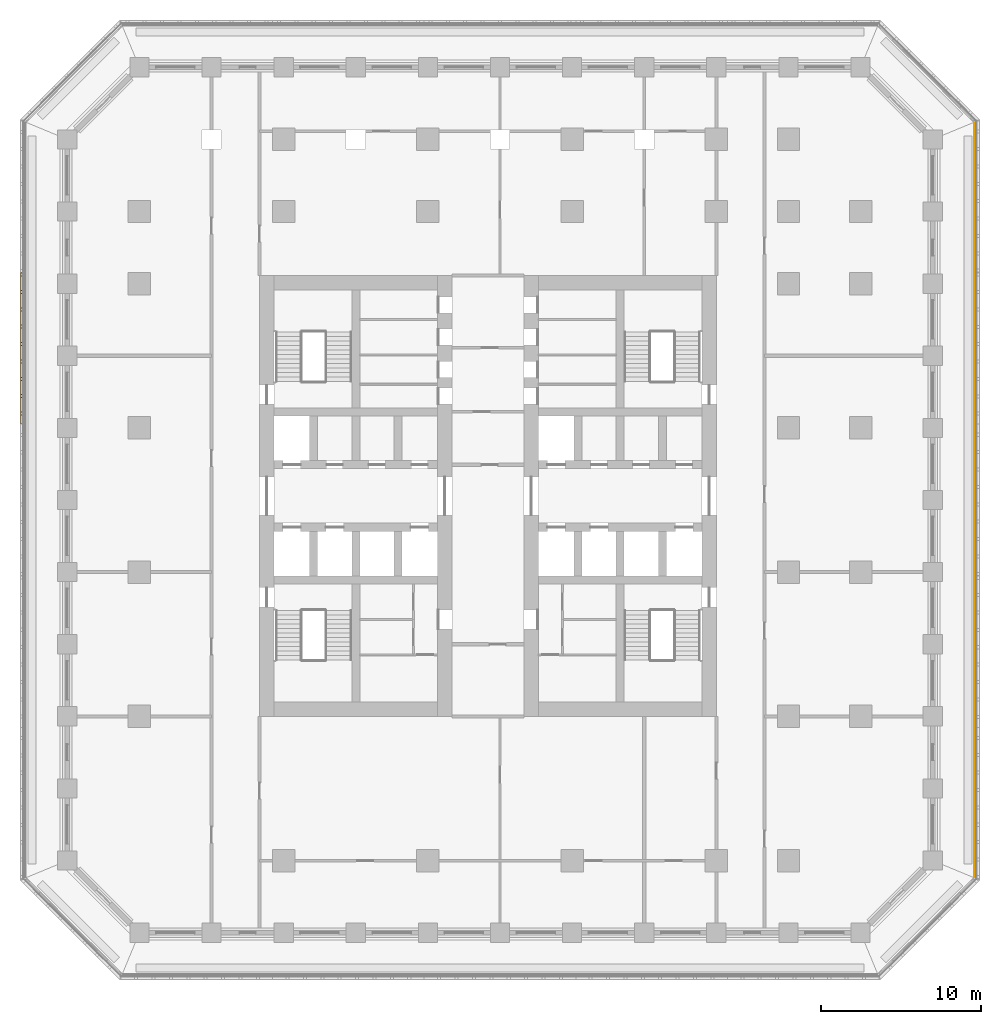
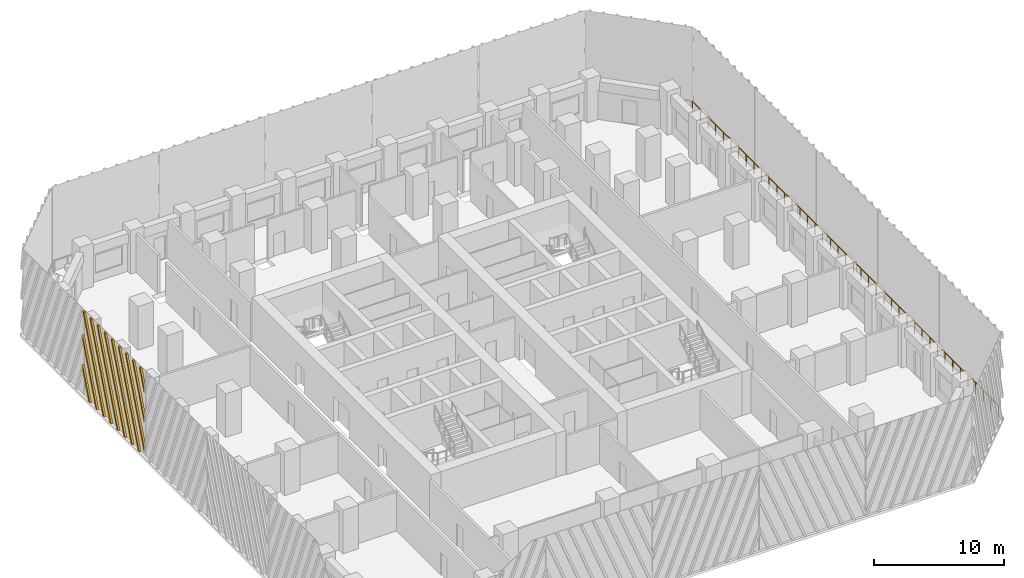
# One storey, part 14 of 19: 1 railing, 1 shading device.
"""IFC4 building model written with IfcOpenShell, lengths in metres."""

from ifc_helpers import new_model, si_unit, direction, frame, origin, origin_2d, place, context, subcontext, project, spatial, polyline, circle, outline, extrude, source, transform, mapped, material, type_object, element, save


model = new_model("IFC4")

# Units and contexts
model_context = context("Model", 3, precision=1e-05, world=origin(), true_north=direction((0.0, 1.0)))
body_context = subcontext(model_context, "Body", "Model", "MODEL_VIEW")
ifc_project = project(units=[si_unit("LENGTHUNIT", "METRE"), si_unit("AREAUNIT", "SQUARE_METRE"), si_unit("VOLUMEUNIT", "CUBIC_METRE"), si_unit("PLANEANGLEUNIT", "RADIAN"), si_unit("MASSUNIT", "GRAM", prefix="KILO")], contexts=[model_context])

# Site, building, storey
site_placement = place(None, origin())
site = spatial("IfcSite", under=ifc_project, at=site_placement, CompositionType="ELEMENT")
building_placement = place(site_placement, origin())
building = spatial("IfcBuilding", under=site, at=building_placement, Name="Corbel Stack Research Tower", CompositionType="ELEMENT")
storey_placement = place(building_placement, frame((0.0, 0.0, 82.0)))
storey = spatial("IfcBuildingStorey", under=building, at=storey_placement, Name="L18", CompositionType="ELEMENT", Elevation=82.0)

# Railing
ifc_material_1 = material(Name="Powder-coated steel guard", Category="steel")
railing_type = type_object("IfcRailingType", Name="Steel and glass guard 1100", PredefinedType="GUARDRAIL", material=ifc_material_1)
railing_placement = place(storey_placement, frame((34.10009765625, -19.00537109375, 0.0)))
element("IfcRailing", 1, at=railing_placement, inside=storey, type_object=railing_type, Name="Loggia guard L18 E", PredefinedType="GUARDRAIL", context=body_context, shape_type="SweptSolid", body=[
    extrude(circle(Radius=0.02392578125, at=origin_2d()), frame((0.0, 0.0, 1.076171875), z_axis=(0.0, 1.0, 0.0), x_axis=(-1.0, 0.0, 0.0)), (0.0, 0.0, 1.0), 47.0107421875),
    extrude(circle(Radius=0.02099609375, at=origin_2d()), origin(), (0.0, 0.0, 1.0), 1.052001953125),
    extrude(circle(Radius=0.02099609375, at=origin_2d()), frame((0.0, 1.17529296875, 0.0)), (0.0, 0.0, 1.0), 1.052001953125),
    extrude(circle(Radius=0.02099609375, at=origin_2d()), frame((0.0, 2.3505859375, 0.0)), (0.0, 0.0, 1.0), 1.052001953125),
    extrude(circle(Radius=0.02099609375, at=origin_2d()), frame((0.0, 3.52587890625, 0.0)), (0.0, 0.0, 1.0), 1.052001953125),
    extrude(circle(Radius=0.02099609375, at=origin_2d()), frame((0.0, 4.701171875, 0.0)), (0.0, 0.0, 1.0), 1.052001953125),
    extrude(circle(Radius=0.02099609375, at=origin_2d()), frame((0.0, 5.87646484375, 0.0)), (0.0, 0.0, 1.0), 1.052001953125),
    extrude(circle(Radius=0.02099609375, at=origin_2d()), frame((0.0, 7.051513671875, 0.0)), (0.0, 0.0, 1.0), 1.052001953125),
    extrude(circle(Radius=0.02099609375, at=origin_2d()), frame((0.0, 8.226806640625, 0.0)), (0.0, 0.0, 1.0), 1.052001953125),
    extrude(circle(Radius=0.02099609375, at=origin_2d()), frame((0.0, 9.402099609375, 0.0)), (0.0, 0.0, 1.0), 1.052001953125),
    extrude(circle(Radius=0.02099609375, at=origin_2d()), frame((0.0, 10.577392578125, 0.0)), (0.0, 0.0, 1.0), 1.052001953125),
    extrude(circle(Radius=0.02099609375, at=origin_2d()), frame((0.0, 11.752685546875, 0.0)), (0.0, 0.0, 1.0), 1.052001953125),
    extrude(circle(Radius=0.02099609375, at=origin_2d()), frame((0.0, 12.927978515625, 0.0)), (0.0, 0.0, 1.0), 1.052001953125),
    extrude(circle(Radius=0.02099609375, at=origin_2d()), frame((0.0, 14.103271484375, 0.0)), (0.0, 0.0, 1.0), 1.052001953125),
    extrude(circle(Radius=0.02099609375, at=origin_2d()), frame((0.0, 15.278564453125, 0.0)), (0.0, 0.0, 1.0), 1.052001953125),
    extrude(circle(Radius=0.02099609375, at=origin_2d()), frame((0.0, 16.453857421875, 0.0)), (0.0, 0.0, 1.0), 1.052001953125),
    extrude(circle(Radius=0.02099609375, at=origin_2d()), frame((0.0, 17.62890625, 0.0)), (0.0, 0.0, 1.0), 1.052001953125),
    extrude(circle(Radius=0.02099609375, at=origin_2d()), frame((0.0, 18.80419921875, 0.0)), (0.0, 0.0, 1.0), 1.052001953125),
    extrude(circle(Radius=0.02099609375, at=origin_2d()), frame((0.0, 19.9794921875, 0.0)), (0.0, 0.0, 1.0), 1.052001953125),
    extrude(circle(Radius=0.02099609375, at=origin_2d()), frame((0.0, 21.15478515625, 0.0)), (0.0, 0.0, 1.0), 1.052001953125),
    extrude(circle(Radius=0.02099609375, at=origin_2d()), frame((0.0, 22.330078125, 0.0)), (0.0, 0.0, 1.0), 1.052001953125),
    extrude(circle(Radius=0.02099609375, at=origin_2d()), frame((0.0, 23.50537109375, 0.0)), (0.0, 0.0, 1.0), 1.052001953125),
    extrude(circle(Radius=0.02099609375, at=origin_2d()), frame((0.0, 24.6806640625, 0.0)), (0.0, 0.0, 1.0), 1.052001953125),
    extrude(circle(Radius=0.02099609375, at=origin_2d()), frame((0.0, 25.85595703125, 0.0)), (0.0, 0.0, 1.0), 1.052001953125),
    extrude(circle(Radius=0.02099609375, at=origin_2d()), frame((0.0, 27.03125, 0.0)), (0.0, 0.0, 1.0), 1.052001953125),
    extrude(circle(Radius=0.02099609375, at=origin_2d()), frame((0.0, 28.20654296875, 0.0)), (0.0, 0.0, 1.0), 1.052001953125),
    extrude(circle(Radius=0.02099609375, at=origin_2d()), frame((0.0, 29.3818359375, 0.0)), (0.0, 0.0, 1.0), 1.052001953125),
    extrude(circle(Radius=0.02099609375, at=origin_2d()), frame((0.0, 30.556884765625, 0.0)), (0.0, 0.0, 1.0), 1.052001953125),
    extrude(circle(Radius=0.02099609375, at=origin_2d()), frame((0.0, 31.732177734375, 0.0)), (0.0, 0.0, 1.0), 1.052001953125),
    extrude(circle(Radius=0.02099609375, at=origin_2d()), frame((0.0, 32.907470703125, 0.0)), (0.0, 0.0, 1.0), 1.052001953125),
    extrude(circle(Radius=0.02099609375, at=origin_2d()), frame((0.0, 34.082763671875, 0.0)), (0.0, 0.0, 1.0), 1.052001953125),
    extrude(circle(Radius=0.02099609375, at=origin_2d()), frame((0.0, 35.258056640625, 0.0)), (0.0, 0.0, 1.0), 1.052001953125),
    extrude(circle(Radius=0.02099609375, at=origin_2d()), frame((0.0, 36.433349609375, 0.0)), (0.0, 0.0, 1.0), 1.052001953125),
    extrude(circle(Radius=0.02099609375, at=origin_2d()), frame((0.0, 37.608642578125, 0.0)), (0.0, 0.0, 1.0), 1.052001953125),
    extrude(circle(Radius=0.02099609375, at=origin_2d()), frame((0.0, 38.783935546875, 0.0)), (0.0, 0.0, 1.0), 1.052001953125),
    extrude(circle(Radius=0.02099609375, at=origin_2d()), frame((0.0, 39.959228515625, 0.0)), (0.0, 0.0, 1.0), 1.052001953125),
    extrude(circle(Radius=0.02099609375, at=origin_2d()), frame((0.0, 41.13427734375, 0.0)), (0.0, 0.0, 1.0), 1.052001953125),
    extrude(circle(Radius=0.02099609375, at=origin_2d()), frame((0.0, 42.3095703125, 0.0)), (0.0, 0.0, 1.0), 1.052001953125),
    extrude(circle(Radius=0.02099609375, at=origin_2d()), frame((0.0, 43.48486328125, 0.0)), (0.0, 0.0, 1.0), 1.052001953125),
    extrude(circle(Radius=0.02099609375, at=origin_2d()), frame((0.0, 44.66015625, 0.0)), (0.0, 0.0, 1.0), 1.052001953125),
    extrude(circle(Radius=0.02099609375, at=origin_2d()), frame((0.0, 45.83544921875, 0.0)), (0.0, 0.0, 1.0), 1.052001953125),
    extrude(circle(Radius=0.02099609375, at=origin_2d()), frame((0.0, 47.0107421875, 0.0)), (0.0, 0.0, 1.0), 1.052001953125),
])

# Shading device
ifc_material_2 = material(Name="Precast terracotta", Category="masonry")
shading_device_type = type_object("IfcShadingDeviceType", Name="Terracotta screen panel", PredefinedType="USERDEFINED", material=ifc_material_2)
shared_shape = source(origin(), body_context, "Body", "SweptSolid", [
    extrude(outline(polyline([(1.14453125, 0.0), (0.0, 2.930419921875), (0.0, 2.44384765625), (0.95458984375, 0.0), (1.14453125, 0.0)])), frame((0.0, 0.0, 0.0), z_axis=(0.0, -1.0, 0.0), x_axis=(1.0, 0.0, 0.0)), (0.0, 0.0, 1.0), 0.179931640625),
    extrude(outline(polyline([(2.22900390625, 0.0), (0.0, 5.707763671875), (0.0, 5.22119140625), (2.0390625, 0.0), (2.22900390625, 0.0)])), frame((0.0, 0.0, 0.0), z_axis=(0.0, -1.0, 0.0), x_axis=(1.0, 0.0, 0.0)), (0.0, 0.0, 1.0), 0.179931640625),
    extrude(outline(polyline([(3.313720703125, 0.0), (0.208984375, 7.949951171875), (0.01904296875, 7.949951171875), (3.123779296875, 0.0), (3.313720703125, 0.0)])), frame((0.0, 0.0, 0.0), z_axis=(0.0, -1.0, 0.0), x_axis=(1.0, 0.0, 0.0)), (0.0, 0.0, 1.0), 0.179931640625),
    extrude(outline(polyline([(4.3984375, 0.0), (1.293701171875, 7.949951171875), (1.103515625, 7.949951171875), (4.20849609375, 0.0), (4.3984375, 0.0)])), frame((0.0, 0.0, 0.0), z_axis=(0.0, -1.0, 0.0), x_axis=(1.0, 0.0, 0.0)), (0.0, 0.0, 1.0), 0.179931640625),
    extrude(outline(polyline([(5.483154296875, 0.0), (2.37841796875, 7.949951171875), (2.188232421875, 7.949951171875), (5.293212890625, 0.0), (5.483154296875, 0.0)])), frame((0.0, 0.0, 0.0), z_axis=(0.0, -1.0, 0.0), x_axis=(1.0, 0.0, 0.0)), (0.0, 0.0, 1.0), 0.179931640625),
    extrude(outline(polyline([(6.56787109375, 0.0), (3.462890625, 7.949951171875), (3.27294921875, 7.949951171875), (6.377685546875, 0.0), (6.56787109375, 0.0)])), frame((0.0, 0.0, 0.0), z_axis=(0.0, -1.0, 0.0), x_axis=(1.0, 0.0, 0.0)), (0.0, 0.0, 1.0), 0.179931640625),
    extrude(outline(polyline([(7.652587890625, 0.0), (4.547607421875, 7.949951171875), (4.357666015625, 7.949951171875), (7.46240234375, 0.0), (7.652587890625, 0.0)])), frame((0.0, 0.0, 0.0), z_axis=(0.0, -1.0, 0.0), x_axis=(1.0, 0.0, 0.0)), (0.0, 0.0, 1.0), 0.179931640625),
    extrude(outline(polyline([(8.737060546875, 0.0), (5.63232421875, 7.949951171875), (5.4423828125, 7.949951171875), (8.547119140625, 0.0), (8.737060546875, 0.0)])), frame((0.0, 0.0, 0.0), z_axis=(0.0, -1.0, 0.0), x_axis=(1.0, 0.0, 0.0)), (0.0, 0.0, 1.0), 0.179931640625),
    extrude(outline(polyline([(6.716796875, 7.949951171875), (6.52685546875, 7.949951171875), (9.45556640625, 0.451171875), (9.45556640625, 0.9375), (6.716796875, 7.949951171875)])), frame((0.0, 0.0, 0.0), z_axis=(0.0, -1.0, 0.0), x_axis=(1.0, 0.0, 0.0)), (0.0, 0.0, 1.0), 0.179931640625),
    extrude(outline(polyline([(7.801513671875, 7.949951171875), (7.611572265625, 7.949951171875), (9.45556640625, 3.228515625), (9.45556640625, 3.71484375), (7.801513671875, 7.949951171875)])), frame((0.0, 0.0, 0.0), z_axis=(0.0, -1.0, 0.0), x_axis=(1.0, 0.0, 0.0)), (0.0, 0.0, 1.0), 0.179931640625),
    extrude(outline(polyline([(8.88623046875, 7.949951171875), (8.6962890625, 7.949951171875), (9.45556640625, 6.005615234375), (9.45556640625, 6.4921875), (8.88623046875, 7.949951171875)])), frame((0.0, 0.0, 0.0), z_axis=(0.0, -1.0, 0.0), x_axis=(1.0, 0.0, 0.0)), (0.0, 0.0, 1.0), 0.179931640625),
])
shading_device_placement = place(storey_placement, frame((-25.25, 18.68359375, 0.0), z_axis=(0.0, 0.0, 1.0), x_axis=(0.0, -1.0, 0.0)))
element("IfcShadingDevice", 2, at=shading_device_placement, inside=storey, type_object=shading_device_type, Name="Terracotta screen L18 W2", ObjectType="SCREEN", PredefinedType="USERDEFINED", context=body_context, shape_type="MappedRepresentation", body=[
    mapped(shared_shape, transform((0.0, 0.0, 0.0))),
])

save(model, "model.ifc")
